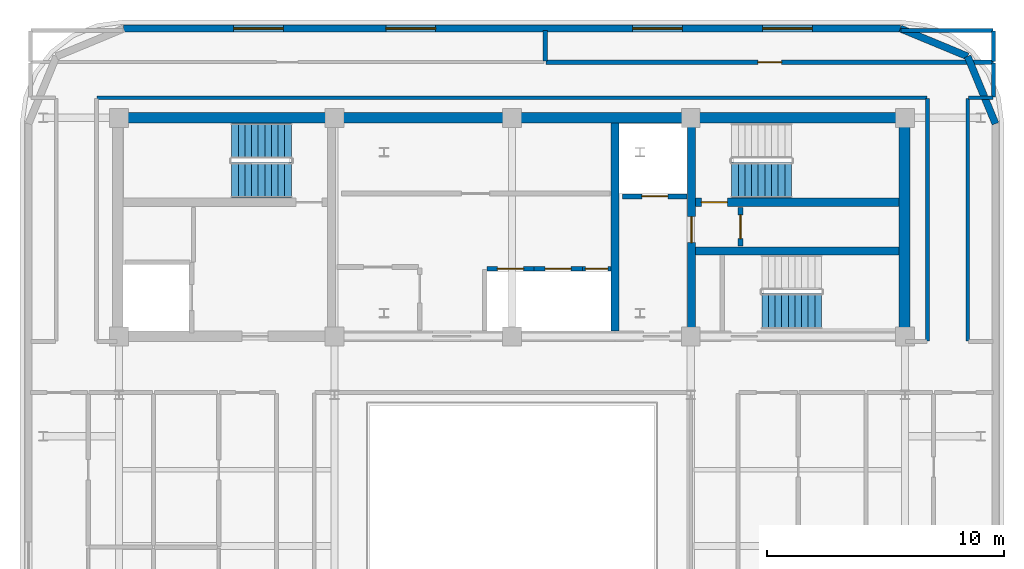
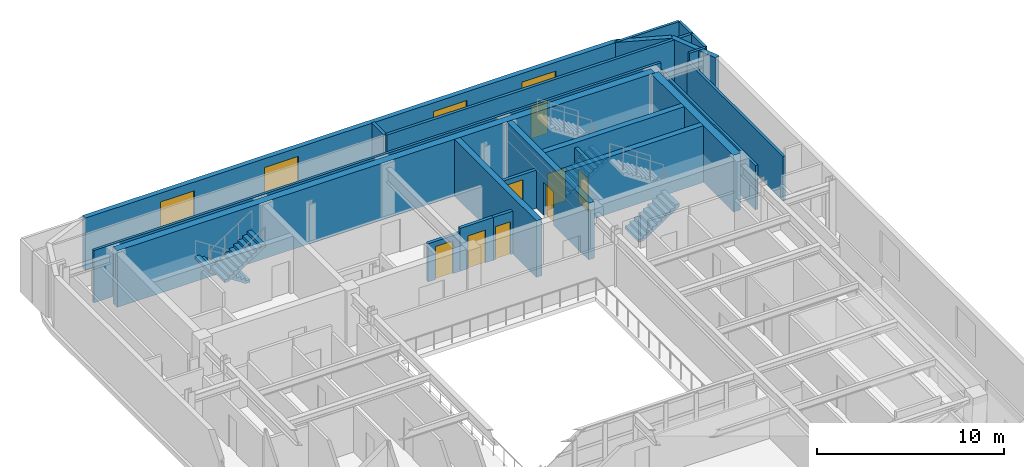
# One storey, part 10 of 14: 23 walls, 8 doors, 4 stair flights, 4 windows, 12 openings, 3 elements without a shape of their own.
"""IFC4 building model written with IfcOpenShell, lengths in metres."""

from ifc_helpers import new_model, si_unit, direction, frame, frame_2d, origin, place, context, subcontext, project, spatial, polyline, rectangle, outline, extrude, material, layer, layer_set, type_object, element, fill, aggregate, save


model = new_model("IFC4")

# Units and contexts
model_context = context("Model", 3, precision=1e-05, world=origin(), true_north=direction((0.0, 1.0)))
body_context = subcontext(model_context, "Body", "Model", "MODEL_VIEW")
ifc_project = project(units=[si_unit("LENGTHUNIT", "METRE"), si_unit("AREAUNIT", "SQUARE_METRE"), si_unit("VOLUMEUNIT", "CUBIC_METRE"), si_unit("PLANEANGLEUNIT", "RADIAN"), si_unit("MASSUNIT", "GRAM", prefix="KILO")], contexts=[model_context])

# Site, building, storey
site_placement = place(None, origin())
site = spatial("IfcSite", under=ifc_project, at=site_placement, CompositionType="ELEMENT")
building_placement = place(site_placement, origin())
building = spatial("IfcBuilding", under=site, at=building_placement, Name="Zarnavel Station Tower", CompositionType="ELEMENT")
storey_placement = place(building_placement, frame((0.0, 0.0, 258.39990234375)))
storey = spatial("IfcBuildingStorey", under=building, at=storey_placement, Name="L70", CompositionType="ELEMENT", Elevation=258.39990234375)

# Wall
ifc_material_1 = material(Name="Concrete C50/60", Category="concrete")
ifc_layer_1 = layer(ifc_material_1, 0.35009765625)
ifc_layer_set_1 = layer_set([ifc_layer_1], Name="CW_350")
wall_type_1 = type_object("IfcWallType", Name="CW_350", PredefinedType="SHEAR", material=ifc_layer_set_1)
wall_1_placement = place(storey_placement, frame((33.14990234375, 28.044921875, 0.0), z_axis=(0.0, 0.0, 1.0), x_axis=(0.0, 1.0, 0.0)))
element("IfcWall", 1, at=wall_1_placement, inside=storey, type_object=wall_type_1, Name="L70 Rear Core Shear Wall DIV-E", PredefinedType="SHEAR", context=body_context, shape_type="SweptSolid", body=[
    extrude(rectangle(XDim=8.780029296875, YDim=0.35009765625, at=frame_2d((4.39013671875, 0.0))), origin(), (0.0, 0.0, 1.0), 3.7001953125),
])

# Wall, opening, door
wall_2_placement = place(storey_placement, frame((36.3798828125, 28.044921875, 0.0), z_axis=(0.0, 0.0, 1.0), x_axis=(0.0, 1.0, 0.0)))
wall_2 = element("IfcWall", 2, at=wall_2_placement, inside=storey, type_object=wall_type_1, Name="L70 Rear Core Shear Wall DIV-S2", PredefinedType="SHEAR", context=body_context, shape_type="SweptSolid", body=[
    extrude(rectangle(XDim=8.780029296875, YDim=0.35009765625, at=frame_2d((4.39013671875, 0.0))), origin(), (0.0, 0.0, 1.0), 3.7001953125),
])
opening_1_placement = place(wall_2_placement, frame((3.735107421875, 0.0, 0.0)))
opening_1 = element("IfcOpeningElement", 3, at=opening_1_placement, cuts=wall_2, Name="Opening FD01", PredefinedType="OPENING", context=body_context, shape_type="SweptSolid", body=[
    extrude(rectangle(XDim=1.10009765625, YDim=2.14990234375, at=frame_2d((0.550048828125, 1.074951171875))), frame((0.0, 0.18505859375, 0.0), z_axis=(0.0, -1.0, 0.0), x_axis=(1.0, 0.0, 0.0)), (0.0, 0.0, 1.0), 0.3701171875),
])
ifc_material_2 = material(Name="Painted Galvanised Steel and Hardwood Leaf", Category="steel")
door_type_1 = type_object("IfcDoorType", Name="ID_STAIR_1100", OperationType="NOTDEFINED", PredefinedType="DOOR", material=ifc_material_2)
door_1_placement = place(opening_1_placement, origin())
door_1 = element("IfcDoor", 4, at=door_1_placement, inside=storey, type_object=door_type_1, Name="L70 East Stair Vestibule Fire Door", OperationType="SINGLE_SWING_LEFT", OverallHeight=2.14990234375, OverallWidth=1.10009765625, PredefinedType="DOOR", context=body_context, shape_type="SweptSolid", body=[
    extrude(rectangle(XDim=1.10009765625, YDim=2.14990234375, at=frame_2d((0.550048828125, 1.074951171875))), frame((0.0, 0.02490234375, 0.0), z_axis=(0.0, -1.0, 0.0), x_axis=(1.0, 0.0, 0.0)), (0.0, 0.0, 1.0), 0.050048828125),
])
fill(opening_1, door_1)

wall_3_placement = place(storey_placement, frame((45.155029296875, 33.47998046875, 0.0), z_axis=(0.0, 0.0, 1.0), x_axis=(-1.0, 0.0, 0.0)))
wall_3 = element("IfcWall", 5, at=wall_3_placement, inside=storey, type_object=wall_type_1, Name="L70 Rear Core Shear Wall DIV-H2", PredefinedType="SHEAR", context=body_context, shape_type="SweptSolid", body=[
    extrude(rectangle(XDim=8.60009765625, YDim=0.35009765625, at=frame_2d((4.300048828125, 0.0))), origin(), (0.0, 0.0, 1.0), 3.7001953125),
])
opening_2_placement = place(wall_3_placement, frame((7.2548828125, 0.0, 0.0)))
opening_2 = element("IfcOpeningElement", 6, at=opening_2_placement, cuts=wall_3, Name="Opening FD01", PredefinedType="OPENING", context=body_context, shape_type="SweptSolid", body=[
    extrude(rectangle(XDim=1.10009765625, YDim=2.14990234375, at=frame_2d((0.550048828125, 1.074951171875))), frame((0.0, 0.18505859375, 0.0), z_axis=(0.0, -1.0, 0.0), x_axis=(1.0, 0.0, 0.0)), (0.0, 0.0, 1.0), 0.3701171875),
])
door_2_placement = place(opening_2_placement, origin())
door_2 = element("IfcDoor", 7, at=door_2_placement, inside=storey, type_object=door_type_1, Name="L70 Stair ST2 Lobby Fire Door", OperationType="SINGLE_SWING_RIGHT", OverallHeight=2.14990234375, OverallWidth=1.10009765625, PredefinedType="DOOR", context=body_context, shape_type="SweptSolid", body=[
    extrude(rectangle(XDim=1.10009765625, YDim=2.14990234375, at=frame_2d((0.550048828125, 1.074951171875))), frame((0.0, 0.02490234375, 0.0), z_axis=(0.0, -1.0, 0.0), x_axis=(1.0, 0.0, 0.0)), (0.0, 0.0, 1.0), 0.050048828125),
])
fill(opening_2, door_2)

# Walls
wall_4_placement = place(storey_placement, frame((36.554931640625, 31.419921875, 0.0), z_axis=(0.0, 0.0, 1.0), x_axis=(1.0, 0.0, 0.0)))
element("IfcWall", 8, at=wall_4_placement, inside=storey, type_object=wall_type_1, Name="L70 Rear Core Shear Wall DIV-H3", PredefinedType="SHEAR", context=body_context, shape_type="SweptSolid", body=[
    extrude(rectangle(XDim=8.60009765625, YDim=0.35009765625, at=frame_2d((4.300048828125, 0.0))), origin(), (0.0, 0.0, 1.0), 3.7001953125),
])
ifc_material_3 = material(Name="Concrete C50/60", Category="concrete")
ifc_layer_2 = layer(ifc_material_3, 0.449951171875)
ifc_layer_set_2 = layer_set([ifc_layer_2], Name="CW_450")
wall_type_2 = type_object("IfcWallType", Name="CW_450", PredefinedType="SHEAR", material=ifc_layer_set_2)
wall_5_placement = place(storey_placement, frame((12.14990234375, 37.050048828125, 0.0), z_axis=(0.0, 0.0, 1.0), x_axis=(1.0, 0.0, 0.0)))
element("IfcWall", 9, at=wall_5_placement, inside=storey, type_object=wall_type_2, Name="L70 Rear Core Shear Wall N", PredefinedType="SHEAR", context=body_context, shape_type="SweptSolid", body=[
    extrude(rectangle(XDim=33.22998046875, YDim=0.449951171875, at=frame_2d((16.614990234375, 0.0))), origin(), (0.0, 0.0, 1.0), 3.7001953125),
])
wall_6_placement = place(storey_placement, frame((45.3798828125, 28.044921875, 0.0), z_axis=(0.0, 0.0, 1.0), x_axis=(0.0, 1.0, 0.0)))
element("IfcWall", 10, at=wall_6_placement, inside=storey, type_object=wall_type_2, Name="L70 Rear Core Shear Wall E", PredefinedType="SHEAR", context=body_context, shape_type="SweptSolid", body=[
    extrude(rectangle(XDim=8.780029296875, YDim=0.449951171875, at=frame_2d((4.39013671875, 0.0))), origin(), (0.0, 0.0, 1.0), 3.7001953125),
])
ifc_material_4 = material(Name="Precast concrete C45/55 (Dark Basalt Finish)", Category="masonry")
ifc_layer_3 = layer(ifc_material_4, 0.300048828125)
ifc_layer_set_3 = layer_set([ifc_layer_3], Name="EW_BASALT_300")
wall_type_3 = type_object("IfcWallType", Name="EW_BASALT_300", PredefinedType="SOLIDWALL", material=ifc_layer_set_3)
for number, where, z_axis, x_axis, name in (
    (11, (48.04248046875, 39.642578125, 0.0), (0.0, 0.0, 1.0), (0.382704529509, -0.923870793506, 0.0), "L70 Exterior Basalt Masonry Frame Wall 04"),
    (12, (45.199951171875, 40.820068359375, 0.0), (0.0, 0.0, 1.0), (0.923870793506, -0.382704529509, 0.0), "L70 Exterior Basalt Masonry Frame Wall 05"),
):
    element("IfcWall", number, at=place(storey_placement, frame(where, z_axis=z_axis, x_axis=x_axis)), inside=storey, type_object=wall_type_3, Name=name, PredefinedType="SOLIDWALL", context=body_context, shape_type="SweptSolid", body=[
        extrude(rectangle(XDim=3.07666015625, YDim=0.300048828125, at=frame_2d((1.538330078125, 0.0))), origin(), (0.0, 0.0, 1.0), 3.420166015625),
    ])

# Wall, openings, windows
wall_7_placement = place(storey_placement, frame((12.39990234375, 40.820068359375, 0.0), z_axis=(0.0, 0.0, 1.0), x_axis=(1.0, 0.0, 0.0)))
wall_7 = element("IfcWall", 13, at=wall_7_placement, inside=storey, type_object=wall_type_3, Name="L70 Exterior Basalt Masonry Frame Wall 06", PredefinedType="SOLIDWALL", context=body_context, shape_type="SweptSolid", body=[
    extrude(rectangle(XDim=32.800048828125, YDim=0.300048828125, at=frame_2d((16.39990234375, 0.0))), origin(), (0.0, 0.0, 1.0), 3.420166015625),
])
opening_3_placement = place(wall_7_placement, frame((4.646728515625, 0.0, 0.75)))
opening_3 = element("IfcOpeningElement", 14, at=opening_3_placement, cuts=wall_7, Name="Opening WN05", PredefinedType="OPENING", context=body_context, shape_type="SweptSolid", body=[
    extrude(rectangle(XDim=2.10009765625, YDim=2.10009765625, at=frame_2d((1.050048828125, 1.050048828125))), frame((0.0, 0.159912109375, 0.0), z_axis=(0.0, -1.0, 0.0), x_axis=(1.0, 0.0, 0.0)), (0.0, 0.0, 1.0), 0.320068359375),
])
opening_4_placement = place(wall_7_placement, frame((11.0732421875, 0.0, 0.75)))
opening_4 = element("IfcOpeningElement", 15, at=opening_4_placement, cuts=wall_7, Name="Opening WN05", PredefinedType="OPENING", context=body_context, shape_type="SweptSolid", body=[
    extrude(rectangle(XDim=2.10009765625, YDim=2.10009765625, at=frame_2d((1.050048828125, 1.050048828125))), frame((0.0, 0.159912109375, 0.0), z_axis=(0.0, -1.0, 0.0), x_axis=(1.0, 0.0, 0.0)), (0.0, 0.0, 1.0), 0.320068359375),
])
opening_5_placement = place(wall_7_placement, frame((21.493408203125, 0.0, 0.75)))
opening_5 = element("IfcOpeningElement", 16, at=opening_5_placement, cuts=wall_7, Name="Opening WN05", PredefinedType="OPENING", context=body_context, shape_type="SweptSolid", body=[
    extrude(rectangle(XDim=2.10009765625, YDim=2.10009765625, at=frame_2d((1.050048828125, 1.050048828125))), frame((0.0, 0.159912109375, 0.0), z_axis=(0.0, -1.0, 0.0), x_axis=(1.0, 0.0, 0.0)), (0.0, 0.0, 1.0), 0.320068359375),
])
opening_6_placement = place(wall_7_placement, frame((26.98681640625, 0.0, 0.75)))
opening_6 = element("IfcOpeningElement", 17, at=opening_6_placement, cuts=wall_7, Name="Opening WN05", PredefinedType="OPENING", context=body_context, shape_type="SweptSolid", body=[
    extrude(rectangle(XDim=2.10009765625, YDim=2.10009765625, at=frame_2d((1.050048828125, 1.050048828125))), frame((0.0, 0.159912109375, 0.0), z_axis=(0.0, -1.0, 0.0), x_axis=(1.0, 0.0, 0.0)), (0.0, 0.0, 1.0), 0.320068359375),
])
ifc_material_5 = material(Name="Thermally Broken Black Aluminium and Low-E Dark Glass", Category="aluminium")
window_type = type_object("IfcWindowType", Name="WN_2100x2100", PartitioningType="TRIPLE_PANEL_VERTICAL", PredefinedType="WINDOW", material=ifc_material_5)
window_1_placement = place(opening_3_placement, origin())
window_1 = element("IfcWindow", 18, at=window_1_placement, inside=storey, type_object=window_type, Name="L70 Recessed Facade Window 01", OverallHeight=2.10009765625, OverallWidth=2.10009765625, PartitioningType="SINGLE_PANEL", PredefinedType="WINDOW", context=body_context, shape_type="SweptSolid", body=[
    extrude(rectangle(XDim=2.10009765625, YDim=2.10009765625, at=frame_2d((1.050048828125, 1.050048828125))), frame((0.0, 0.030029296875, 0.0), z_axis=(0.0, -1.0, 0.0), x_axis=(1.0, 0.0, 0.0)), (0.0, 0.0, 1.0), 0.06005859375),
])
fill(opening_3, window_1)
window_2_placement = place(opening_4_placement, origin())
window_2 = element("IfcWindow", 19, at=window_2_placement, inside=storey, type_object=window_type, Name="L70 Recessed Facade Window 02", OverallHeight=2.10009765625, OverallWidth=2.10009765625, PartitioningType="SINGLE_PANEL", PredefinedType="WINDOW", context=body_context, shape_type="SweptSolid", body=[
    extrude(rectangle(XDim=2.10009765625, YDim=2.10009765625, at=frame_2d((1.050048828125, 1.050048828125))), frame((0.0, 0.030029296875, 0.0), z_axis=(0.0, -1.0, 0.0), x_axis=(1.0, 0.0, 0.0)), (0.0, 0.0, 1.0), 0.06005859375),
])
fill(opening_4, window_2)
window_3_placement = place(opening_5_placement, origin())
window_3 = element("IfcWindow", 20, at=window_3_placement, inside=storey, type_object=window_type, Name="L70 Recessed Facade Window 03", OverallHeight=2.10009765625, OverallWidth=2.10009765625, PartitioningType="SINGLE_PANEL", PredefinedType="WINDOW", context=body_context, shape_type="SweptSolid", body=[
    extrude(rectangle(XDim=2.10009765625, YDim=2.10009765625, at=frame_2d((1.050048828125, 1.050048828125))), frame((0.0, 0.030029296875, 0.0), z_axis=(0.0, -1.0, 0.0), x_axis=(1.0, 0.0, 0.0)), (0.0, 0.0, 1.0), 0.06005859375),
])
fill(opening_5, window_3)
window_4_placement = place(opening_6_placement, origin())
window_4 = element("IfcWindow", 21, at=window_4_placement, inside=storey, type_object=window_type, Name="L70 Recessed Facade Window 04", OverallHeight=2.10009765625, OverallWidth=2.10009765625, PartitioningType="SINGLE_PANEL", PredefinedType="WINDOW", context=body_context, shape_type="SweptSolid", body=[
    extrude(rectangle(XDim=2.10009765625, YDim=2.10009765625, at=frame_2d((1.050048828125, 1.050048828125))), frame((0.0, 0.030029296875, 0.0), z_axis=(0.0, -1.0, 0.0), x_axis=(1.0, 0.0, 0.0)), (0.0, 0.0, 1.0), 0.06005859375),
])
fill(opening_6, window_4)

# Walls
ifc_material_6 = material(Name="Gypsum Twin-Stud Acoustic Fire Partition", Category="concrete")
ifc_layer_4 = layer(ifc_material_6, 0.159912109375)
ifc_layer_set_4 = layer_set([ifc_layer_4], Name="PT_DEMISE_160")
wall_type_4 = type_object("IfcWallType", Name="PT_DEMISE_160", PredefinedType="PARTITIONING", material=ifc_layer_set_4)
for number, where, z_axis, x_axis, name in (
    (22, (46.35009765625, 27.6298828125, 0.0), (0.0, 0.0, 1.0), (0.0, 1.0, 0.0), "L70 Enclosure Wall COR-E"),
    (23, (48.050048828125, 27.6298828125, 0.0), (0.0, 0.0, 1.0), (0.0, 1.0, 0.0), "L70 Enclosure Wall COR-E"),
):
    element("IfcWall", number, at=place(storey_placement, frame(where, z_axis=z_axis, x_axis=x_axis)), inside=storey, type_object=wall_type_4, Name=name, PredefinedType="PARTITIONING", context=body_context, shape_type="SweptSolid", body=[
        extrude(rectangle(XDim=10.240234375, YDim=0.159912109375, at=frame_2d((5.1201171875, 0.0))), origin(), (0.0, 0.0, 1.0), 2.900146484375),
    ])
wall_8_placement = place(storey_placement, frame((11.280029296875, 37.89990234375, 0.0), z_axis=(0.0, 0.0, 1.0), x_axis=(1.0, 0.0, 0.0)))
element("IfcWall", 24, at=wall_8_placement, inside=storey, type_object=wall_type_4, Name="L70 Enclosure Wall COR-N", PredefinedType="PARTITIONING", context=body_context, shape_type="SweptSolid", body=[
    extrude(rectangle(XDim=35.0400390625, YDim=0.159912109375, at=frame_2d((17.52001953125, 0.0))), origin(), (0.0, 0.0, 1.0), 3.420166015625),
])
wall_9_placement = place(storey_placement, frame((48.080078125, 37.89990234375, 0.0), z_axis=(0.0, 0.0, 1.0), x_axis=(1.0, 0.0, 0.0)))
element("IfcWall", 25, at=wall_9_placement, inside=storey, type_object=wall_type_4, Name="L70 Enclosure Wall COR-N", PredefinedType="PARTITIONING", context=body_context, shape_type="SweptSolid", body=[
    extrude(rectangle(XDim=1.030029296875, YDim=0.159912109375, at=frame_2d((0.51513671875, 0.0))), origin(), (0.0, 0.0, 1.0), 3.420166015625),
])
wall_10_placement = place(storey_placement, frame((49.139892578125, 37.929931640625, 0.0), z_axis=(0.0, 0.0, 1.0), x_axis=(0.0, 1.0, 0.0)))
element("IfcWall", 26, at=wall_10_placement, inside=storey, type_object=wall_type_4, Name="L70 Enclosure Wall COR-N", PredefinedType="PARTITIONING", context=body_context, shape_type="SweptSolid", body=[
    extrude(rectangle(XDim=1.440185546875, YDim=0.159912109375, at=frame_2d((0.72021484375, 0.0))), origin(), (0.0, 0.0, 1.0), 3.420166015625),
])
wall_11_placement = place(storey_placement, frame((45.22998046875, 40.739990234375, 0.0), z_axis=(0.0, 0.0, 1.0), x_axis=(1.0, 0.0, 0.0)))
element("IfcWall", 27, at=wall_11_placement, inside=storey, type_object=wall_type_4, Name="L70 Enclosure Wall NPAN", PredefinedType="PARTITIONING", context=body_context, shape_type="SweptSolid", body=[
    extrude(rectangle(XDim=3.880126953125, YDim=0.159912109375, at=frame_2d((1.93994140625, 0.0))), origin(), (0.0, 0.0, 1.0), 3.420166015625),
])
wall_12_placement = place(storey_placement, frame((49.139892578125, 39.429931640625, 0.0), z_axis=(0.0, 0.0, 1.0), x_axis=(0.0, 1.0, 0.0)))
element("IfcWall", 28, at=wall_12_placement, inside=storey, type_object=wall_type_4, Name="L70 Enclosure Wall NPAN", PredefinedType="PARTITIONING", context=body_context, shape_type="SweptSolid", body=[
    extrude(rectangle(XDim=1.280029296875, YDim=0.159912109375, at=frame_2d((0.64013671875, 0.0))), origin(), (0.0, 0.0, 1.0), 3.420166015625),
])

# Wall, opening, door
ifc_material_7 = material(Name="Precast concrete C45/55 (Fire Shaft Blockwork)", Category="masonry")
ifc_layer_5 = layer(ifc_material_7, 0.199951171875)
ifc_layer_set_5 = layer_set([ifc_layer_5], Name="PT_SHAFT_200")
wall_type_5 = type_object("IfcWallType", Name="PT_SHAFT_200", PredefinedType="PARTITIONING", material=ifc_layer_set_5)
wall_13_placement = place(storey_placement, frame((33.47509765625, 33.72998046875, 0.0), z_axis=(0.0, 0.0, 1.0), x_axis=(1.0, 0.0, 0.0)))
wall_13 = element("IfcWall", 29, at=wall_13_placement, inside=storey, type_object=wall_type_5, Name="L70 Lift FFL-02 Shaft Front Wall", PredefinedType="PARTITIONING", context=body_context, shape_type="SweptSolid", body=[
    extrude(rectangle(XDim=2.724853515625, YDim=0.199951171875, at=frame_2d((1.3623046875, 0.0))), origin(), (0.0, 0.0, 1.0), 2.489990234375),
])
opening_7_placement = place(wall_13_placement, frame((0.8125, 0.0, 0.0)))
opening_7 = element("IfcOpeningElement", 30, at=opening_7_placement, cuts=wall_13, Name="Opening LD01", PredefinedType="OPENING", context=body_context, shape_type="SweptSolid", body=[
    extrude(rectangle(XDim=1.10009765625, YDim=2.14990234375, at=frame_2d((0.550048828125, 1.074951171875))), frame((0.0, 0.10986328125, 0.0), z_axis=(0.0, -1.0, 0.0), x_axis=(1.0, 0.0, 0.0)), (0.0, 0.0, 1.0), 0.219970703125),
])
ifc_material_8 = material(Name="Painted Galvanised Steel and Hardwood Leaf", Category="steel")
door_type_2 = type_object("IfcDoorType", Name="LD_FF_1100", OperationType="DOUBLE_DOOR_SLIDING", PredefinedType="DOOR", material=ifc_material_8)
door_3_placement = place(opening_7_placement, origin())
door_3 = element("IfcDoor", 31, at=door_3_placement, inside=storey, type_object=door_type_2, Name="L70 Lift FFL-02 Sliding Landing Door", OperationType="DOUBLE_DOOR_SLIDING", OverallHeight=2.14990234375, OverallWidth=1.10009765625, PredefinedType="DOOR", context=body_context, shape_type="SweptSolid", body=[
    extrude(rectangle(XDim=1.10009765625, YDim=2.14990234375, at=frame_2d((0.550048828125, 1.074951171875))), frame((0.0, 0.02490234375, 0.0), z_axis=(0.0, -1.0, 0.0), x_axis=(1.0, 0.0, 0.0)), (0.0, 0.0, 1.0), 0.050048828125),
])
fill(opening_7, door_3)

wall_14_placement = place(storey_placement, frame((27.75, 30.669921875, 0.0), z_axis=(0.0, 0.0, 1.0), x_axis=(1.0, 0.0, 0.0)))
wall_14 = element("IfcWall", 32, at=wall_14_placement, inside=storey, type_object=wall_type_5, Name="L70 Lift PL-H1 Shaft Front Wall", PredefinedType="PARTITIONING", context=body_context, shape_type="SweptSolid", body=[
    extrude(rectangle(XDim=1.97509765625, YDim=0.199951171875, at=frame_2d((0.987548828125, 0.0))), origin(), (0.0, 0.0, 1.0), 2.489990234375),
])
opening_8_placement = place(wall_14_placement, frame((0.4375, 0.0, 0.0)))
opening_8 = element("IfcOpeningElement", 33, at=opening_8_placement, cuts=wall_14, Name="Opening LD02", PredefinedType="OPENING", context=body_context, shape_type="SweptSolid", body=[
    extrude(rectangle(XDim=1.10009765625, YDim=2.14990234375, at=frame_2d((0.550048828125, 1.074951171875))), frame((0.0, 0.10986328125, 0.0), z_axis=(0.0, -1.0, 0.0), x_axis=(1.0, 0.0, 0.0)), (0.0, 0.0, 1.0), 0.219970703125),
])
ifc_material_9 = material(Name="Painted Galvanised Steel and Hardwood Leaf", Category="steel")
door_type_3 = type_object("IfcDoorType", Name="LD_PAX_1100", OperationType="DOUBLE_DOOR_SLIDING", PredefinedType="DOOR", material=ifc_material_9)
door_4_placement = place(opening_8_placement, origin())
door_4 = element("IfcDoor", 34, at=door_4_placement, inside=storey, type_object=door_type_3, Name="L70 Lift PL-H1 Sliding Landing Door", OperationType="DOUBLE_DOOR_SLIDING", OverallHeight=2.14990234375, OverallWidth=1.10009765625, PredefinedType="DOOR", context=body_context, shape_type="SweptSolid", body=[
    extrude(rectangle(XDim=1.10009765625, YDim=2.14990234375, at=frame_2d((0.550048828125, 1.074951171875))), frame((0.0, 0.02490234375, 0.0), z_axis=(0.0, -1.0, 0.0), x_axis=(1.0, 0.0, 0.0)), (0.0, 0.0, 1.0), 0.050048828125),
])
fill(opening_8, door_4)

wall_15_placement = place(storey_placement, frame((29.72509765625, 30.669921875, 0.0), z_axis=(0.0, 0.0, 1.0), x_axis=(1.0, 0.0, 0.0)))
wall_15 = element("IfcWall", 35, at=wall_15_placement, inside=storey, type_object=wall_type_5, Name="L70 Lift PL-H2 Shaft Front Wall", PredefinedType="PARTITIONING", context=body_context, shape_type="SweptSolid", body=[
    extrude(rectangle(XDim=2.0498046875, YDim=0.199951171875, at=frame_2d((1.02490234375, 0.0))), origin(), (0.0, 0.0, 1.0), 2.800048828125),
])
opening_9_placement = place(wall_15_placement, frame((0.47509765625, 0.0, 0.0)))
opening_9 = element("IfcOpeningElement", 36, at=opening_9_placement, cuts=wall_15, Name="Opening LD02", PredefinedType="OPENING", context=body_context, shape_type="SweptSolid", body=[
    extrude(rectangle(XDim=1.10009765625, YDim=2.14990234375, at=frame_2d((0.550048828125, 1.074951171875))), frame((0.0, 0.10986328125, 0.0), z_axis=(0.0, -1.0, 0.0), x_axis=(1.0, 0.0, 0.0)), (0.0, 0.0, 1.0), 0.219970703125),
])
door_5_placement = place(opening_9_placement, origin())
door_5 = element("IfcDoor", 37, at=door_5_placement, inside=storey, type_object=door_type_3, Name="L70 Lift PL-H2 Sliding Landing Door", OperationType="DOUBLE_DOOR_SLIDING", OverallHeight=2.14990234375, OverallWidth=1.10009765625, PredefinedType="DOOR", context=body_context, shape_type="SweptSolid", body=[
    extrude(rectangle(XDim=1.10009765625, YDim=2.14990234375, at=frame_2d((0.550048828125, 1.074951171875))), frame((0.0, 0.02490234375, 0.0), z_axis=(0.0, -1.0, 0.0), x_axis=(1.0, 0.0, 0.0)), (0.0, 0.0, 1.0), 0.050048828125),
])
fill(opening_9, door_5)

wall_16_placement = place(storey_placement, frame((31.77490234375, 30.669921875, 0.0), z_axis=(0.0, 0.0, 1.0), x_axis=(1.0, 0.0, 0.0)))
wall_16 = element("IfcWall", 38, at=wall_16_placement, inside=storey, type_object=wall_type_5, Name="L70 Lift PL-H3 Shaft Front Wall", PredefinedType="PARTITIONING", context=body_context, shape_type="SweptSolid", body=[
    extrude(rectangle(XDim=1.2001953125, YDim=0.199951171875, at=frame_2d((0.60009765625, 0.0))), origin(), (0.0, 0.0, 1.0), 2.800048828125),
])
opening_10_placement = place(wall_16_placement, frame((0.125, 0.0, 0.0)))
opening_10 = element("IfcOpeningElement", 39, at=opening_10_placement, cuts=wall_16, Name="Opening LD03", PredefinedType="OPENING", context=body_context, shape_type="SweptSolid", body=[
    extrude(rectangle(XDim=0.949951171875, YDim=2.14990234375, at=frame_2d((0.47509765625, 1.074951171875))), frame((0.0, 0.10986328125, 0.0), z_axis=(0.0, -1.0, 0.0), x_axis=(1.0, 0.0, 0.0)), (0.0, 0.0, 1.0), 0.219970703125),
])
ifc_material_10 = material(Name="Painted Galvanised Steel and Hardwood Leaf", Category="steel")
door_type_4 = type_object("IfcDoorType", Name="LD_PAX_0950", OperationType="DOUBLE_DOOR_SLIDING", PredefinedType="DOOR", material=ifc_material_10)
door_6_placement = place(opening_10_placement, origin())
door_6 = element("IfcDoor", 40, at=door_6_placement, inside=storey, type_object=door_type_4, Name="L70 Lift PL-H3 Sliding Landing Door", OperationType="DOUBLE_DOOR_SLIDING", OverallHeight=2.14990234375, OverallWidth=0.949951171875, PredefinedType="DOOR", context=body_context, shape_type="SweptSolid", body=[
    extrude(rectangle(XDim=0.949951171875, YDim=2.14990234375, at=frame_2d((0.47509765625, 1.074951171875))), frame((0.0, 0.02490234375, 0.0), z_axis=(0.0, -1.0, 0.0), x_axis=(1.0, 0.0, 0.0)), (0.0, 0.0, 1.0), 0.050048828125),
])
fill(opening_10, door_6)

wall_17_placement = place(storey_placement, frame((38.449951171875, 31.639892578125, 0.0), z_axis=(0.0, 0.0, 1.0), x_axis=(0.0, 1.0, 0.0)))
wall_17 = element("IfcWall", 41, at=wall_17_placement, inside=storey, type_object=wall_type_5, Name="L70 Partition ESTV-CEA", PredefinedType="PARTITIONING", context=body_context, shape_type="SweptSolid", body=[
    extrude(rectangle(XDim=1.6201171875, YDim=0.199951171875, at=frame_2d((0.81005859375, 0.0))), origin(), (0.0, 0.0, 1.0), 3.420166015625),
])
opening_11_placement = place(wall_17_placement, frame((0.31005859375, 0.0, 0.0)))
opening_11 = element("IfcOpeningElement", 42, at=opening_11_placement, cuts=wall_17, Name="Opening FD02", PredefinedType="OPENING", context=body_context, shape_type="SweptSolid", body=[
    extrude(rectangle(XDim=1.0, YDim=2.14990234375, at=frame_2d((0.5, 1.074951171875))), frame((0.0, 0.10986328125, 0.0), z_axis=(0.0, -1.0, 0.0), x_axis=(1.0, 0.0, 0.0)), (0.0, 0.0, 1.0), 0.219970703125),
])
ifc_material_11 = material(Name="Painted Galvanised Steel and Hardwood Leaf", Category="steel")
door_type_5 = type_object("IfcDoorType", Name="ID_ENTRY_1000", OperationType="NOTDEFINED", PredefinedType="DOOR", material=ifc_material_11)
door_7_placement = place(opening_11_placement, origin())
door_7 = element("IfcDoor", 43, at=door_7_placement, inside=storey, type_object=door_type_5, Name="L70 Door ESTV-CEA", OperationType="SINGLE_SWING_LEFT", OverallHeight=2.14990234375, OverallWidth=1.0, PredefinedType="DOOR", context=body_context, shape_type="SweptSolid", body=[
    extrude(rectangle(XDim=1.0, YDim=2.14990234375, at=frame_2d((0.5, 1.074951171875))), frame((0.0, 0.02490234375, 0.0), z_axis=(0.0, -1.0, 0.0), x_axis=(1.0, 0.0, 0.0)), (0.0, 0.0, 1.0), 0.050048828125),
])
fill(opening_11, door_7)

ifc_material_12 = material(Name="Moisture-Resistant Plumbing Chase Wall", Category="concrete")
ifc_layer_6 = layer(ifc_material_12, 0.179931640625)
ifc_layer_set_6 = layer_set([ifc_layer_6], Name="PW_PLUMB_180")
wall_type_6 = type_object("IfcWallType", Name="PW_PLUMB_180", PredefinedType="PLUMBINGWALL", material=ifc_layer_set_6)
wall_18_placement = place(storey_placement, frame((30.239990234375, 39.39990234375, 0.0), z_axis=(0.0, 0.0, 1.0), x_axis=(1.0, 0.0, 0.0)))
wall_18 = element("IfcWall", 44, at=wall_18_placement, inside=storey, type_object=wall_type_6, Name="L70 Partition COR-N-NPAN", PredefinedType="PLUMBINGWALL", context=body_context, shape_type="SweptSolid", body=[
    extrude(rectangle(XDim=18.89990234375, YDim=0.179931640625, at=frame_2d((9.449951171875, 0.0))), origin(), (0.0, 0.0, 1.0), 3.420166015625),
])
opening_12_placement = place(wall_18_placement, frame((8.949951171875, 0.0, 0.0)))
opening_12 = element("IfcOpeningElement", 45, at=opening_12_placement, cuts=wall_18, Name="Opening FD02", PredefinedType="OPENING", context=body_context, shape_type="SweptSolid", body=[
    extrude(rectangle(XDim=1.0, YDim=2.14990234375, at=frame_2d((0.5, 1.074951171875))), frame((0.0, 0.099853515625, 0.0), z_axis=(0.0, -1.0, 0.0), x_axis=(1.0, 0.0, 0.0)), (0.0, 0.0, 1.0), 0.199951171875),
])
door_8_placement = place(opening_12_placement, origin())
door_8 = element("IfcDoor", 46, at=door_8_placement, inside=storey, type_object=door_type_5, Name="L70 Door COR-N-NPAN", OperationType="SINGLE_SWING_LEFT", OverallHeight=2.14990234375, OverallWidth=1.0, PredefinedType="DOOR", context=body_context, shape_type="SweptSolid", body=[
    extrude(rectangle(XDim=1.0, YDim=2.14990234375, at=frame_2d((0.5, 1.074951171875))), frame((0.0, 0.02490234375, 0.0), z_axis=(0.0, -1.0, 0.0), x_axis=(1.0, 0.0, 0.0)), (0.0, 0.0, 1.0), 0.050048828125),
])
fill(opening_12, door_8)

# Wall
wall_19_placement = place(storey_placement, frame((30.199951171875, 39.43994140625, 0.0), z_axis=(0.0, 0.0, 1.0), x_axis=(0.0, 1.0, 0.0)))
element("IfcWall", 47, at=wall_19_placement, inside=storey, type_object=wall_type_6, Name="L70 Partition NLOU-NPAN", PredefinedType="PLUMBINGWALL", context=body_context, shape_type="SweptSolid", body=[
    extrude(rectangle(XDim=1.300048828125, YDim=0.179931640625, at=frame_2d((0.64990234375, 0.0))), origin(), (0.0, 0.0, 1.0), 3.420166015625),
])

# Stair, stair flights
ifc_material_13 = material(Name="Concrete C45/55", Category="concrete")
stair_type = type_object("IfcStairType", Name="ST_CORE_150", PredefinedType="HALF_TURN_STAIR", material=ifc_material_13)
stair_1_placement = place(storey_placement, origin())
stair_1 = element("IfcStair", 48, at=stair_1_placement, inside=storey, type_object=stair_type, Name="L70 Core Exit Stair ST1", PredefinedType="HALF_TURN_STAIR")
ifc_material_14 = material(Name="Concrete C45/55", Category="concrete")
ifc_layer_7 = layer(ifc_material_14, 0.179931640625)
ifc_layer_set_7 = layer_set([ifc_layer_7], Name="ST_CORE_150_FLT")
stair_flight_type = type_object("IfcStairFlightType", Name="ST_CORE_150_FLT", PredefinedType="STRAIGHT", material=ifc_layer_set_7)
stair_flight_1_placement = place(storey_placement, frame((19.47998046875, 36.070068359375, 0.0), z_axis=(0.0, 0.0, 1.0), x_axis=(-1.0, 0.0, 0.0)))
stair_flight_1 = element("IfcStairFlight", 49, at=stair_flight_1_placement, type_object=stair_flight_type, Name="ST1 flight 1", NumberOfRisers=10, NumberOfTreads=9, PredefinedType="STRAIGHT", RiserHeight=0.185, TreadLength=0.28, context=body_context, shape_type="SweptSolid", body=[
    extrude(outline(polyline([(0.0, 0.0), (0.0, 0.18505859375), (0.280029296875, 0.18505859375), (0.280029296875, 0.3701171875), (0.56005859375, 0.3701171875), (0.56005859375, 0.554931640625), (0.840087890625, 0.554931640625), (0.840087890625, 0.739990234375), (1.1201171875, 0.739990234375), (1.1201171875, 0.925048828125), (1.39990234375, 0.925048828125), (1.39990234375, 1.110107421875), (1.679931640625, 1.110107421875), (1.679931640625, 1.294921875), (1.9599609375, 1.294921875), (1.9599609375, 1.47998046875), (2.239990234375, 1.47998046875), (2.239990234375, 1.6650390625), (2.52001953125, 1.6650390625), (2.52001953125, 1.85009765625), (2.52001953125, 1.4853515625), (0.27197265625, 0.0), (0.0, 0.0)])), frame((0.0, 0.75, 0.0), z_axis=(0.0, -1.0, 0.0), x_axis=(1.0, 0.0, 0.0)), (0.0, 0.0, 1.0), 1.5),
])
stair_flight_2_placement = place(storey_placement, frame((16.9599609375, 34.409912109375, 1.85009765625), z_axis=(0.0, 0.0, 1.0), x_axis=(1.0, 0.0, 0.0)))
stair_flight_2 = element("IfcStairFlight", 50, at=stair_flight_2_placement, type_object=stair_flight_type, Name="ST1 flight 2", NumberOfRisers=10, NumberOfTreads=9, PredefinedType="STRAIGHT", RiserHeight=0.185, TreadLength=0.28, context=body_context, shape_type="SweptSolid", body=[
    extrude(outline(polyline([(0.0, 0.0), (0.0, 0.18505859375), (0.280029296875, 0.18505859375), (0.280029296875, 0.3701171875), (0.56005859375, 0.3701171875), (0.56005859375, 0.554931640625), (0.840087890625, 0.554931640625), (0.840087890625, 0.739990234375), (1.1201171875, 0.739990234375), (1.1201171875, 0.925048828125), (1.39990234375, 0.925048828125), (1.39990234375, 1.110107421875), (1.679931640625, 1.110107421875), (1.679931640625, 1.294921875), (1.9599609375, 1.294921875), (1.9599609375, 1.47998046875), (2.239990234375, 1.47998046875), (2.239990234375, 1.6650390625), (2.52001953125, 1.6650390625), (2.52001953125, 1.85009765625), (2.52001953125, 1.4853515625), (0.27197265625, 0.0), (0.0, 0.0)])), frame((0.0, 0.75, 0.0), z_axis=(0.0, -1.0, 0.0), x_axis=(1.0, 0.0, 0.0)), (0.0, 0.0, 1.0), 1.5),
])
aggregate(stair_1, [stair_flight_1, stair_flight_2])

# Stair, stair flight
stair_2_placement = place(storey_placement, origin())
stair_2 = element("IfcStair", 51, at=stair_2_placement, inside=storey, type_object=stair_type, Name="L70 Core Exit Stair ST2", PredefinedType="HALF_TURN_STAIR")
stair_flight_3_placement = place(storey_placement, frame((38.080078125, 34.409912109375, 0.0), z_axis=(0.0, 0.0, 1.0), x_axis=(1.0, 0.0, 0.0)))
stair_flight_3 = element("IfcStairFlight", 52, at=stair_flight_3_placement, type_object=stair_flight_type, Name="ST2 flight 1", NumberOfRisers=10, NumberOfTreads=9, PredefinedType="STRAIGHT", RiserHeight=0.185, TreadLength=0.28, context=body_context, shape_type="SweptSolid", body=[
    extrude(outline(polyline([(0.0, 0.0), (0.0, 0.18505859375), (0.280029296875, 0.18505859375), (0.280029296875, 0.3701171875), (0.56005859375, 0.3701171875), (0.56005859375, 0.554931640625), (0.840087890625, 0.554931640625), (0.840087890625, 0.739990234375), (1.1201171875, 0.739990234375), (1.1201171875, 0.925048828125), (1.39990234375, 0.925048828125), (1.39990234375, 1.110107421875), (1.679931640625, 1.110107421875), (1.679931640625, 1.294921875), (1.9599609375, 1.294921875), (1.9599609375, 1.47998046875), (2.239990234375, 1.47998046875), (2.239990234375, 1.6650390625), (2.52001953125, 1.6650390625), (2.52001953125, 1.85009765625), (2.52001953125, 1.4853515625), (0.27197265625, 0.0), (0.0, 0.0)])), frame((0.0, 0.75, 0.0), z_axis=(0.0, -1.0, 0.0), x_axis=(1.0, 0.0, 0.0)), (0.0, 0.0, 1.0), 1.5),
])
aggregate(stair_2, [stair_flight_3])

stair_3_placement = place(storey_placement, origin())
stair_3 = element("IfcStair", 53, at=stair_3_placement, inside=storey, type_object=stair_type, Name="L70 Core Exit Stair ST3", PredefinedType="HALF_TURN_STAIR")
stair_flight_4_placement = place(storey_placement, frame((39.35009765625, 28.8701171875, 0.0), z_axis=(0.0, 0.0, 1.0), x_axis=(1.0, 0.0, 0.0)))
stair_flight_4 = element("IfcStairFlight", 54, at=stair_flight_4_placement, type_object=stair_flight_type, Name="ST3 flight 1", NumberOfRisers=10, NumberOfTreads=9, PredefinedType="STRAIGHT", RiserHeight=0.185, TreadLength=0.28, context=body_context, shape_type="SweptSolid", body=[
    extrude(outline(polyline([(0.0, 0.0), (0.0, 0.18505859375), (0.280029296875, 0.18505859375), (0.280029296875, 0.3701171875), (0.56005859375, 0.3701171875), (0.56005859375, 0.554931640625), (0.840087890625, 0.554931640625), (0.840087890625, 0.739990234375), (1.1201171875, 0.739990234375), (1.1201171875, 0.925048828125), (1.39990234375, 0.925048828125), (1.39990234375, 1.110107421875), (1.679931640625, 1.110107421875), (1.679931640625, 1.294921875), (1.9599609375, 1.294921875), (1.9599609375, 1.47998046875), (2.239990234375, 1.47998046875), (2.239990234375, 1.6650390625), (2.52001953125, 1.6650390625), (2.52001953125, 1.85009765625), (2.52001953125, 1.4853515625), (0.27197265625, 0.0), (0.0, 0.0)])), frame((0.0, 0.75, 0.0), z_axis=(0.0, -1.0, 0.0), x_axis=(1.0, 0.0, 0.0)), (0.0, 0.0, 1.0), 1.5),
])
aggregate(stair_3, [stair_flight_4])

save(model, "model.ifc")
